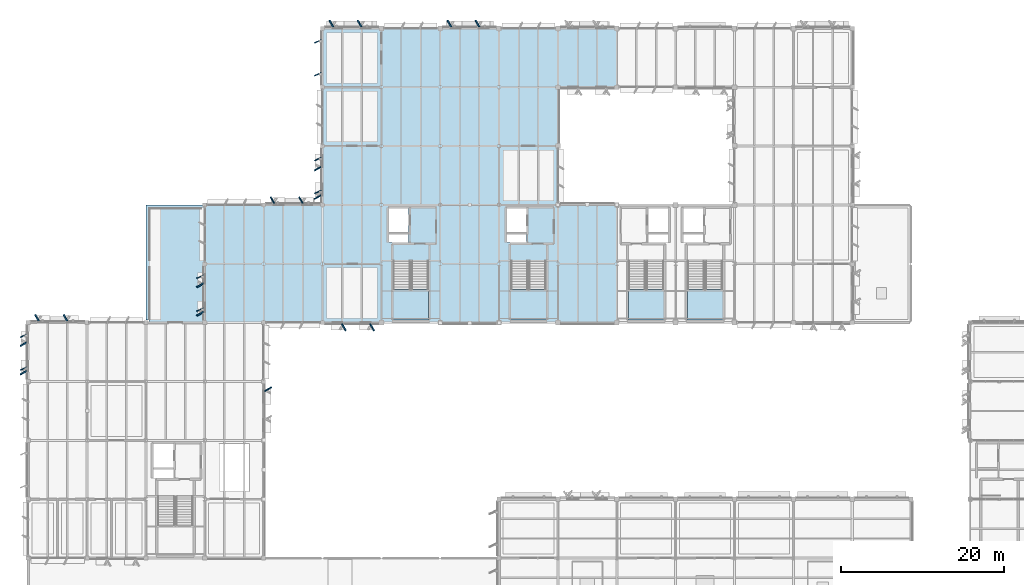
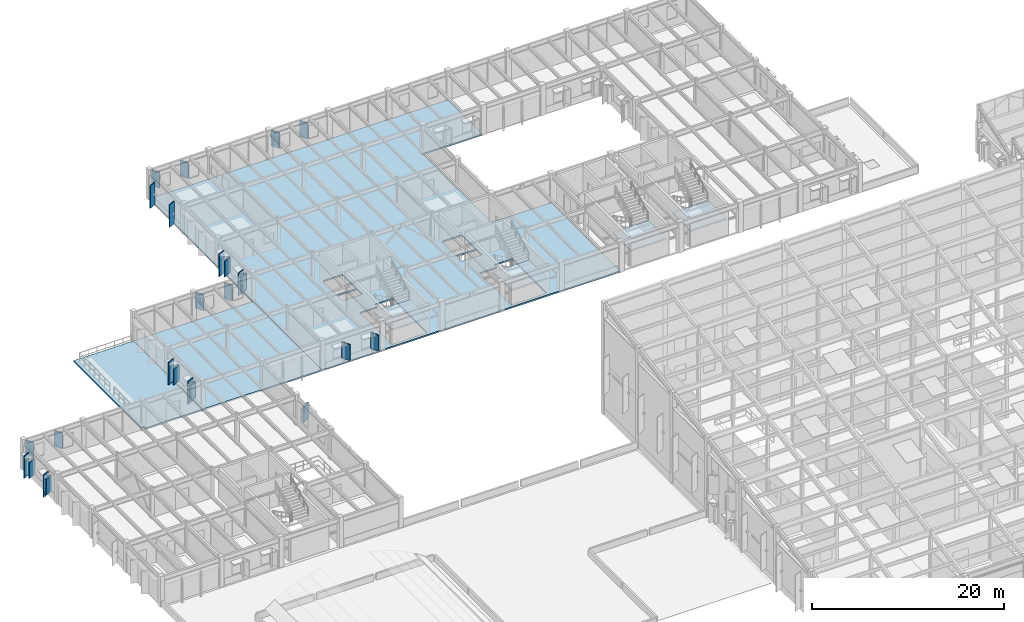
# One storey, part 25 of 82: 25 plates, 7 slabs, 4 elements without a shape of their own.
"""IFC4 building model written with IfcOpenShell, lengths in metres."""

import ifcopenshell
import ifcopenshell.guid

model = None  # the IFC model being written
_history = None  # IfcOwnerHistory: only IFC2X3 demands one
_inside = {}  # id of a spatial element -> (the spatial element, [elements in it])
_under = {}  # id of a project, library or spatial element -> (it, [spatial elements below it])
_declared = {}  # id of a project -> (the project, [libraries it declares])
_typed = {}  # id of a type object -> (the type object, [elements of that type])
_made_of = {}  # id of a material, layer set ... -> (it, [elements and type objects made of it])


def new_model(schema):
    """Start an empty IFC model of exactly this schema.

    Asked for "IFC4X3", IfcOpenShell would pick the latest addendum, in which some entities
    have other attributes; the version numbers below select the first issue.
    IFC2X3 requires an IfcOwnerHistory on every rooted entity: one is made here for all.
    """
    global model, _history
    if schema == "IFC4X3":
        model = ifcopenshell.file(schema_version=(4, 3, 0, 0))
    else:
        model = ifcopenshell.file(schema=schema)
    _inside.clear()
    _under.clear()
    _declared.clear()
    _typed.clear()
    _made_of.clear()
    _history = None
    if model.schema == "IFC2X3":
        org = make("IfcOrganization", Name="unknown")
        user = make(
            "IfcPersonAndOrganization",
            ThePerson=make("IfcPerson", FamilyName="unknown"),
            TheOrganization=org,
        )
        app = make(
            "IfcApplication",
            ApplicationDeveloper=org,
            Version="unknown",
            ApplicationFullName="unknown",
            ApplicationIdentifier="unknown",
        )
        _history = make(
            "IfcOwnerHistory",
            OwningUser=user,
            OwningApplication=app,
            ChangeAction="ADDED",
            CreationDate=0,
        )
    return model


def make(cls, **values):
    """One entity of the class cls with the attributes given. An attribute that is None is left unset."""
    return model.create_entity(
        cls, **{name: value for name, value in values.items() if value is not None}
    )


def rooted(cls, **values):
    """An entity with a GlobalId (a new one), such as an element, a storey or a relation."""
    return make(cls, GlobalId=ifcopenshell.guid.new(), OwnerHistory=_history, **values)


def si_unit(unit_type, name, prefix=None):
    """IfcSIUnit, for example si_unit("LENGTHUNIT", "METRE", prefix="MILLI")."""
    return make("IfcSIUnit", UnitType=unit_type, Prefix=prefix, Name=name)


def assignment(units):
    """IfcUnitAssignment: the units of a project."""
    return None if units is None else make("IfcUnitAssignment", Units=units)


def point(xyz):
    """IfcCartesianPoint."""
    return None if xyz is None else make("IfcCartesianPoint", Coordinates=xyz)


def direction(xyz):
    """IfcDirection."""
    return None if xyz is None else make("IfcDirection", DirectionRatios=xyz)


def frame(location, z_axis=None, x_axis=None):
    """IfcAxis2Placement3D, a coordinate frame: its origin and axes. An axis left out is left unset."""
    return make(
        "IfcAxis2Placement3D",
        Location=point(location),
        Axis=direction(z_axis),
        RefDirection=direction(x_axis),
    )


def frame_2d(location, x_axis=None):
    """IfcAxis2Placement2D, a coordinate frame in the plane: its origin and x axis."""
    return make(
        "IfcAxis2Placement2D", Location=point(location), RefDirection=direction(x_axis)
    )


def origin():
    """The frame at (0, 0, 0) with its axes left unset."""
    return frame((0.0, 0.0, 0.0))


def origin_2d():
    """The frame at (0, 0) in the plane with its x axis left unset."""
    return frame_2d((0.0, 0.0))


def place(relative_to, where):
    """IfcLocalPlacement: puts the frame where relative to a parent placement (None: the world)."""
    return make(
        "IfcLocalPlacement", PlacementRelTo=relative_to, RelativePlacement=where
    )


def context(
    kind, dimensions, precision=None, world=None, true_north=None, identifier=None
):
    """IfcGeometricRepresentationContext, for example the 3D "Model" context."""
    return make(
        "IfcGeometricRepresentationContext",
        ContextIdentifier=identifier,
        ContextType=kind,
        CoordinateSpaceDimension=dimensions,
        Precision=precision,
        WorldCoordinateSystem=world,
        TrueNorth=true_north,
    )


def subcontext(parent, identifier, kind, view, scale=None):
    """IfcGeometricRepresentationSubContext, for example "Body" below "Model"."""
    return make(
        "IfcGeometricRepresentationSubContext",
        ContextIdentifier=identifier,
        ContextType=kind,
        ParentContext=parent,
        TargetScale=scale,
        TargetView=view,
    )


def project(units=None, contexts=None):
    """IfcProject with its units and contexts."""
    return rooted(
        "IfcProject",
        Name="project",
        RepresentationContexts=contexts,
        UnitsInContext=assignment(units),
    )


def spatial(cls, under=None, at=None, **own):
    """A site, building, storey or space (cls), placed at a placement, below another one or the project."""
    s = rooted(cls, ObjectPlacement=at, **own)
    if under is not None:
        _under.setdefault(under.id(), (under, []))[1].append(s)
    return s


def polyline(points):
    """IfcPolyline through the points."""
    return make("IfcPolyline", Points=[point(p) for p in points])


def profile(cls, at=None, kind="AREA", **sizes):
    """A parametric profile (cls). Its sizes go by their IFC names, for example OverallWidth=200.0."""
    return make(cls, ProfileType=kind, Position=at, **sizes)


def rectangle(**sizes):
    """IfcRectangleProfileDef."""
    return profile("IfcRectangleProfileDef", **sizes)


def outline(outer, holes=None, kind="AREA"):
    """IfcArbitraryClosedProfileDef: a profile drawn as a closed curve; with holes, ...WithVoids."""
    if holes is None:
        return make("IfcArbitraryClosedProfileDef", ProfileType=kind, OuterCurve=outer)
    return make(
        "IfcArbitraryProfileDefWithVoids",
        ProfileType=kind,
        OuterCurve=outer,
        InnerCurves=holes,
    )


def extrude(swept, where, along, depth):
    """IfcExtrudedAreaSolid: the profile swept, set in the frame where, extruded along a direction by depth."""
    return make(
        "IfcExtrudedAreaSolid",
        SweptArea=swept,
        Position=where,
        ExtrudedDirection=direction(along),
        Depth=depth,
    )


def shape(context_of_items, identifier, shape_type, items):
    """IfcShapeRepresentation: the items that make up one representation, for example the "Body"."""
    return make(
        "IfcShapeRepresentation",
        ContextOfItems=context_of_items,
        RepresentationIdentifier=identifier,
        RepresentationType=shape_type,
        Items=items,
    )


def material(Name=None, Category=None):
    """IfcMaterial."""
    return make("IfcMaterial", Name=Name, Category=Category)


def layer(
    of_material, thickness, ventilated=None, Name=None, Category=None, Priority=None
):
    """IfcMaterialLayer: one layer of a wall or slab, of a material (None: an air gap)."""
    return make(
        "IfcMaterialLayer",
        Material=of_material,
        LayerThickness=thickness,
        IsVentilated=ventilated,
        Name=Name,
        Category=Category,
        Priority=Priority,
    )


def layer_set(layers, Name=None):
    """IfcMaterialLayerSet."""
    return make("IfcMaterialLayerSet", MaterialLayers=layers, LayerSetName=Name)


def made_of(thing, what):
    """Note that an element or type object is made of a material, layer set ...; save() writes the relation."""
    if what is not None:
        _made_of.setdefault(what.id(), (what, []))[1].append(thing)
    return thing


def type_object(cls, material=None, **own):
    """A type object (cls), such as IfcWallType, which elements share."""
    return made_of(rooted(cls, **own), material)


def element(
    cls,
    number,
    at=None,
    inside=None,
    cuts=None,
    type_object=None,
    material=None,
    context=None,
    identifier="Body",
    shape_type=None,
    held_by="IfcProductDefinitionShape",
    body=None,
    shapes=None,
    **own,
):
    """One element of the class cls, such as IfcWall. Its Tag is "e" and its number.

    at: its placement. inside: the storey or other place that contains it. cuts: it is an
    opening in that element (IfcRelVoidsElement). A single representation is given by context,
    identifier, shape_type and body (its items); several are given by shapes. held_by: the class
    of the entity that holds the representations. save() writes the other relations.
    """
    e = rooted(cls, Tag="e%d" % number, ObjectPlacement=at, **own)
    if body is not None:
        shapes = [shape(context, identifier, shape_type, body)]
    if shapes is not None:
        e.Representation = make(held_by, Representations=shapes)
    if inside is not None:
        _inside.setdefault(inside.id(), (inside, []))[1].append(e)
    if cuts is not None:
        rooted(
            "IfcRelVoidsElement", RelatingBuildingElement=cuts, RelatedOpeningElement=e
        )
    if type_object is not None:
        _typed.setdefault(type_object.id(), (type_object, []))[1].append(e)
    return made_of(e, material)


def aggregate(whole, parts):
    """IfcRelAggregates: a whole, such as a stair, and the parts it consists of."""
    return rooted("IfcRelAggregates", RelatingObject=whole, RelatedObjects=parts)


def save(model, path):
    """Write the relations noted so far, then the file.

    IfcRelAggregates (storeys below a building ...), IfcRelContainedInSpatialStructure (elements
    in a storey), IfcRelDefinesByType, IfcRelAssociatesMaterial and IfcRelDeclares: one each for
    every whole, place, type object, material and project.
    """
    for whole, parts in _under.values():
        aggregate(whole, parts)
    for where, things in _inside.values():
        rooted(
            "IfcRelContainedInSpatialStructure",
            RelatedElements=things,
            RelatingStructure=where,
        )
    for kind, things in _typed.values():
        rooted("IfcRelDefinesByType", RelatedObjects=things, RelatingType=kind)
    for what, things in _made_of.values():
        rooted("IfcRelAssociatesMaterial", RelatedObjects=things, RelatingMaterial=what)
    for by, libraries in _declared.values():
        rooted("IfcRelDeclares", RelatingContext=by, RelatedDefinitions=libraries)
    model.write(path)


model = new_model("IFC4")

# Units and contexts
model_context = context("Model", 3, precision=1e-05, world=origin(), true_north=direction((0.0, 1.0)))
body_context = subcontext(model_context, "Body", "Model", "MODEL_VIEW")
ifc_project = project(units=[si_unit("LENGTHUNIT", "METRE"), si_unit("AREAUNIT", "SQUARE_METRE"), si_unit("VOLUMEUNIT", "CUBIC_METRE"), si_unit("PLANEANGLEUNIT", "RADIAN"), si_unit("MASSUNIT", "GRAM", prefix="KILO")], contexts=[model_context])

# Site, building, storey
site_placement = place(None, origin())
site = spatial("IfcSite", under=ifc_project, at=site_placement, CompositionType="ELEMENT")
building_placement = place(site_placement, origin())
building = spatial("IfcBuilding", under=site, at=building_placement, Name="Sillqori Civic Hall", CompositionType="ELEMENT")
storey_placement = place(building_placement, frame((0.0, 0.0, 14.10009765625)))
storey = spatial("IfcBuildingStorey", under=building, at=storey_placement, Name="L04", CompositionType="ELEMENT", Elevation=14.10009765625)

# Plates
ifc_material_1 = material(Name="Precast concrete C40/50 (H40)", Category="concrete")
ifc_layer_1 = layer(ifc_material_1, 0.159912109375)
ifc_layer_set_1 = layer_set([ifc_layer_1], Name="Precast concrete C40/50 (H40)")
plate_type_1 = type_object("IfcPlateType", Name="FIN-WEST-350", PredefinedType="USERDEFINED", material=ifc_layer_set_1)
for number, where, z_axis, x_axis, name in (
    (1, (6.655029296875, 73.590087890625, 0.14990234375), (0.0, 0.0, 1.0), (-0.422618261741, 0.906307787037, 0.0), "L04 west brise-soleil fin L04-01-10-W.1"),
    (2, (6.655029296875, 77.610107421875, 0.14990234375), (0.0, 0.0, 1.0), (-0.422618261741, 0.906307787037, 0.0), "L04 west brise-soleil fin L04-01-10-W.2"),
    (3, (28.235107421875, 80.7900390625, 0.14990234375), (0.0, 0.0, 1.0), (-0.422618261741, 0.906307787037, 0.0), "L04 west brise-soleil fin L04-04-11-W.1"),
    (4, (28.235107421875, 84.81005859375, 0.14990234375), (0.0, 0.0, 1.0), (-0.422618261741, 0.906307787037, 0.0), "L04 west brise-soleil fin L04-04-11-W.2"),
):
    element("IfcPlate", number, at=place(storey_placement, frame(where, z_axis=z_axis, x_axis=x_axis)), inside=storey, type_object=plate_type_1, Name=name, ObjectType="SOLAR_FIN", PredefinedType="USERDEFINED", context=body_context, shape_type="SweptSolid", body=[
        extrude(rectangle(XDim=0.090087890625, YDim=0.8798828125, at=origin_2d()), origin(), (0.0, 0.0, 1.0), 2.8720703125),
    ])
for number, where, z_axis, x_axis, name in (
    (5, (42.635009765625, 95.18994140625, 0.14990234375), (0.0, 0.0, 1.0), (-0.422618261741, 0.906307787037, 0.0), "L04 west brise-soleil fin L04-06-13-W.1"),
    (6, (42.635009765625, 99.2099609375, 0.14990234375), (0.0, 0.0, 1.0), (-0.422618261741, 0.906307787037, 0.0), "L04 west brise-soleil fin L04-06-13-W.2"),
    (7, (42.635009765625, 109.590087890625, 0.14990234375), (0.0, 0.0, 1.0), (-0.422618261741, 0.906307787037, 0.0), "L04 west brise-soleil fin L04-06-15-W.1"),
    (8, (42.635009765625, 113.610107421875, 0.14990234375), (0.0, 0.0, 1.0), (-0.422618261741, 0.906307787037, 0.0), "L04 west brise-soleil fin L04-06-15-W.2"),
):
    element("IfcPlate", number, at=place(storey_placement, frame(where, z_axis=z_axis, x_axis=x_axis)), inside=storey, type_object=plate_type_1, Name=name, ObjectType="SOLAR_FIN", PredefinedType="USERDEFINED", context=body_context, shape_type="SweptSolid", body=[
        extrude(rectangle(XDim=0.090087890625, YDim=0.8798828125, at=origin_2d()), origin(), (0.0, 0.0, 1.0), 2.89208984375),
    ])
ifc_layer_2 = layer(ifc_material_1, 0.159912109375)
ifc_layer_set_2 = layer_set([ifc_layer_2], Name="Precast concrete C40/50 (H40)")
plate_type_2 = type_object("IfcPlateType", Name="REV-SAW-200", PredefinedType="USERDEFINED", material=ifc_layer_set_2)
for number, where, z_axis, x_axis, name in (
    (9, (8.298095703125, 79.739990234375, 0.7998046875), (0.0, 0.0, 1.0), (0.866025403784, 0.5, 0.0), "Sawtooth stone window reveal L04-01-10-N.1"),
    (10, (11.781982421875, 79.739990234375, 0.7998046875), (0.0, 0.0, 1.0), (0.866025403784, 0.5, 0.0), "Sawtooth stone window reveal L04-01-10-N.2"),
    (11, (6.659912109375, 73.097900390625, 0.7998046875), (0.0, 0.0, 1.0), (-0.5, 0.866025403784, 0.0), "Sawtooth stone window reveal L04-01-10-W.1"),
    (12, (6.659912109375, 76.58203125, 0.7998046875), (0.0, 0.0, 1.0), (-0.5, 0.866025403784, 0.0), "Sawtooth stone window reveal L04-01-10-W.2"),
    (13, (36.5400390625, 71.052001953125, 0.849853515625), (0.0, 0.0, 1.0), (0.5, -0.866025403784, 0.0), "Sawtooth stone window reveal L04-04-09-E.1"),
    (14, (28.239990234375, 80.298095703125, 0.7998046875), (0.0, 0.0, 1.0), (-0.5, 0.866025403784, 0.0), "Sawtooth stone window reveal L04-04-11-W.1"),
    (15, (28.239990234375, 83.781982421875, 0.7998046875), (0.0, 0.0, 1.0), (-0.5, 0.866025403784, 0.0), "Sawtooth stone window reveal L04-04-11-W.2"),
    (16, (37.097900390625, 94.159912109375, 0.7998046875), (0.0, 0.0, 1.0), (0.866025403784, 0.5, 0.0), "Sawtooth stone window reveal L04-05-12-N.1"),
    (17, (40.58203125, 94.159912109375, 0.7998046875), (0.0, 0.0, 1.0), (0.866025403784, 0.5, 0.0), "Sawtooth stone window reveal L04-05-12-N.2"),
    (18, (49.263916015625, 78.639892578125, 0.7998046875), (0.0, 0.0, 1.0), (-0.866025403784, -0.5, 0.0), "Sawtooth stone window reveal L04-06-11-S.1"),
    (19, (45.805908203125, 78.639892578125, 0.7998046875), (0.0, 0.0, 1.0), (-0.866025403784, -0.5, 0.0), "Sawtooth stone window reveal L04-06-11-S.2"),
    (20, (42.639892578125, 94.572998046875, 0.875), (0.0, 0.0, 1.0), (-0.5, 0.866025403784, 0.0), "Sawtooth stone window reveal L04-06-13-W.1"),
    (21, (42.639892578125, 98.056884765625, 0.875), (0.0, 0.0, 1.0), (-0.5, 0.866025403784, 0.0), "Sawtooth stone window reveal L04-06-13-W.2"),
    (22, (44.285888671875, 115.760009765625, 0.7998046875), (0.0, 0.0, 1.0), (0.866025403784, 0.5, 0.0), "Sawtooth stone window reveal L04-06-15-N.1"),
    (23, (47.743896484375, 115.760009765625, 0.7998046875), (0.0, 0.0, 1.0), (0.866025403784, 0.5, 0.0), "Sawtooth stone window reveal L04-06-15-N.2"),
    (24, (58.72412109375, 115.760009765625, 0.7998046875), (0.0, 0.0, 1.0), (0.866025403784, 0.5, 0.0), "Sawtooth stone window reveal L04-08-15-N.1"),
    (25, (62.156005859375, 115.760009765625, 0.7998046875), (0.0, 0.0, 1.0), (0.866025403784, 0.5, 0.0), "Sawtooth stone window reveal L04-08-15-N.2"),
):
    element("IfcPlate", number, at=place(storey_placement, frame(where, z_axis=z_axis, x_axis=x_axis)), inside=storey, type_object=plate_type_2, Name=name, ObjectType="REVEAL_PANEL", PredefinedType="USERDEFINED", context=body_context, shape_type="SweptSolid", body=[
        extrude(rectangle(XDim=0.159912109375, YDim=0.97998046875, at=origin_2d()), origin(), (0.0, 0.0, 1.0), 2.0),
    ])

# Slabs
ifc_material_2 = material(Name="Concrete C30/37 (H30)", Category="concrete")
ifc_layer_3 = layer(ifc_material_2, 0.179931640625)
ifc_layer_set_3 = layer_set([ifc_layer_3], Name="Concrete C30/37 (H30)")
slab_type_1 = type_object("IfcSlabType", Name="SLB-FLR-180", PredefinedType="FLOOR", material=ifc_layer_set_3)
slab_1_placement = place(storey_placement, frame((0.0, 0.0, -0.18017578125)))
element("IfcSlab", 26, at=slab_1_placement, inside=storey, type_object=slab_type_1, Name="L04 V4 composite floor slab 0.1", PredefinedType="FLOOR", context=body_context, shape_type="SweptSolid", body=[
    extrude(outline(polyline([(28.800048828125, 93.60009765625), (36.0, 93.60009765625), (43.199951171875, 93.60009765625), (43.199951171875, 86.39990234375), (43.199951171875, 79.199951171875), (36.0, 79.199951171875), (28.800048828125, 79.199951171875), (28.800048828125, 86.39990234375), (28.800048828125, 93.60009765625)])), origin(), (0.0, 0.0, 1.0), 0.18017578125),
])
slab_2_placement = place(storey_placement, frame((0.0, 0.0, -0.18017578125)))
element("IfcSlab", 27, at=slab_2_placement, inside=storey, type_object=slab_type_1, Name="L04 V4 composite floor slab 1.1", PredefinedType="FLOOR", context=body_context, shape_type="SweptSolid", body=[
    extrude(outline(polyline([(43.199951171875, 108.0), (43.199951171875, 115.199951171875), (50.39990234375, 115.199951171875), (57.60009765625, 115.199951171875), (64.800048828125, 115.199951171875), (72.0, 115.199951171875), (79.199951171875, 115.199951171875), (79.199951171875, 108.0), (72.0, 108.0), (72.0, 100.800048828125), (72.0, 93.60009765625), (79.199951171875, 93.60009765625), (79.199951171875, 86.39990234375), (79.199951171875, 79.199951171875), (72.0, 79.199951171875), (64.800048828125, 79.199951171875), (57.60009765625, 79.199951171875), (50.39990234375, 79.199951171875), (43.199951171875, 79.199951171875), (43.199951171875, 86.39990234375), (43.199951171875, 93.60009765625), (43.199951171875, 100.800048828125), (43.199951171875, 108.0)]), holes=[polyline([(53.9599609375, 86.219970703125), (51.860107421875, 86.219970703125), (51.860107421875, 79.550048828125), (56.139892578125, 79.550048828125), (56.139892578125, 86.77001953125), (53.9599609375, 86.77001953125), (53.9599609375, 86.219970703125)]), polyline([(66.260009765625, 86.219970703125), (66.260009765625, 79.550048828125), (70.5400390625, 79.550048828125), (70.5400390625, 86.77001953125), (68.360107421875, 86.77001953125), (68.360107421875, 86.219970703125), (66.260009765625, 86.219970703125)]), polyline([(53.75, 89.0), (53.75, 90.10009765625), (51.35009765625, 90.10009765625), (51.35009765625, 89.0), (53.75, 89.0)]), polyline([(68.14990234375, 90.10009765625), (65.75, 90.10009765625), (65.75, 89.0), (68.14990234375, 89.0), (68.14990234375, 90.10009765625)]), polyline([(53.75, 90.25), (53.75, 93.14990234375), (51.35009765625, 93.14990234375), (51.35009765625, 90.25), (53.75, 90.25)]), polyline([(68.14990234375, 90.25), (68.14990234375, 93.14990234375), (65.75, 93.14990234375), (65.75, 90.25), (68.14990234375, 90.25)])]), origin(), (0.0, 0.0, 1.0), 0.18017578125),
])

# Stair, slab
ifc_material_3 = material(Name="Concrete C35/45 (H35)", Category="concrete")
stair_type_1 = type_object("IfcStairType", Name="STR-CORE-05", PredefinedType="DOUBLE_RETURN_STAIR", material=ifc_material_3)
stair_1_placement = place(storey_placement, origin())
stair_1 = element("IfcStair", 28, at=stair_1_placement, inside=storey, type_object=stair_type_1, Name="L04 Core exit stair ST-05", PredefinedType="DOUBLE_RETURN_STAIR")
ifc_layer_4 = layer(ifc_material_3, 0.199951171875)
ifc_layer_set_4 = layer_set([ifc_layer_4], Name="Concrete C35/45 (H35)")
slab_type_2 = type_object("IfcSlabType", Name="SLB-LND-220", PredefinedType="LANDING", material=ifc_layer_set_4)
slab_3_placement = place(storey_placement, frame((0.0, 0.0, 1.75)))
slab_3 = element("IfcSlab", 29, at=slab_3_placement, type_object=slab_type_2, Name="ST-05 landing 1", PredefinedType="LANDING", context=body_context, shape_type="SweptSolid", body=[
    extrude(outline(polyline([(51.824951171875, 83.25), (51.824951171875, 79.514892578125), (56.175048828125, 79.514892578125), (56.175048828125, 83.25), (51.824951171875, 83.25)])), origin(), (0.0, 0.0, 1.0), 0.199951171875),
])
aggregate(stair_1, [slab_3])

stair_type_2 = type_object("IfcStairType", Name="STR-CORE-06", PredefinedType="DOUBLE_RETURN_STAIR", material=ifc_material_3)
stair_2_placement = place(storey_placement, origin())
stair_2 = element("IfcStair", 30, at=stair_2_placement, inside=storey, type_object=stair_type_2, Name="L04 Core exit stair ST-06", PredefinedType="DOUBLE_RETURN_STAIR")
slab_4_placement = place(storey_placement, frame((0.0, 0.0, 1.75)))
slab_4 = element("IfcSlab", 31, at=slab_4_placement, type_object=slab_type_2, Name="ST-06 landing 1", PredefinedType="LANDING", context=body_context, shape_type="SweptSolid", body=[
    extrude(outline(polyline([(66.22509765625, 83.25), (66.22509765625, 79.514892578125), (70.574951171875, 79.514892578125), (70.574951171875, 83.25), (66.22509765625, 83.25)])), origin(), (0.0, 0.0, 1.0), 0.199951171875),
])
aggregate(stair_2, [slab_4])

stair_type_3 = type_object("IfcStairType", Name="STR-CORE-07", PredefinedType="DOUBLE_RETURN_STAIR", material=ifc_material_3)
stair_3_placement = place(storey_placement, origin())
stair_3 = element("IfcStair", 32, at=stair_3_placement, inside=storey, type_object=stair_type_3, Name="L04 Core exit stair ST-07", PredefinedType="DOUBLE_RETURN_STAIR")
slab_5_placement = place(storey_placement, frame((0.0, 0.0, 1.75)))
slab_5 = element("IfcSlab", 33, at=slab_5_placement, type_object=slab_type_2, Name="ST-07 landing 1", PredefinedType="LANDING", context=body_context, shape_type="SweptSolid", body=[
    extrude(outline(polyline([(80.625, 83.25), (80.625, 79.514892578125), (84.97509765625, 79.514892578125), (84.97509765625, 83.25), (80.625, 83.25)])), origin(), (0.0, 0.0, 1.0), 0.199951171875),
])
aggregate(stair_3, [slab_5])

stair_type_4 = type_object("IfcStairType", Name="STR-CORE-08", PredefinedType="DOUBLE_RETURN_STAIR", material=ifc_material_3)
stair_4_placement = place(storey_placement, origin())
stair_4 = element("IfcStair", 34, at=stair_4_placement, inside=storey, type_object=stair_type_4, Name="L04 Core exit stair ST-08", PredefinedType="DOUBLE_RETURN_STAIR")
slab_6_placement = place(storey_placement, frame((0.0, 0.0, 1.75)))
slab_6 = element("IfcSlab", 35, at=slab_6_placement, type_object=slab_type_2, Name="ST-08 landing 1", PredefinedType="LANDING", context=body_context, shape_type="SweptSolid", body=[
    extrude(outline(polyline([(87.824951171875, 83.25), (87.824951171875, 79.514892578125), (92.175048828125, 79.514892578125), (92.175048828125, 83.25), (87.824951171875, 83.25)])), origin(), (0.0, 0.0, 1.0), 0.199951171875),
])
aggregate(stair_4, [slab_6])

# Slab
ifc_layer_5 = layer(ifc_material_3, 0.199951171875)
ifc_layer_set_5 = layer_set([ifc_layer_5], Name="Concrete C35/45 (H35)")
slab_type_3 = type_object("IfcSlabType", Name="SLB-TER-200", PredefinedType="FLOOR", material=ifc_layer_set_5)
slab_7_placement = place(storey_placement, frame((0.0, 0.0, -0.2001953125)))
element("IfcSlab", 36, at=slab_7_placement, inside=storey, type_object=slab_type_3, Name="Urban Design West Setback Terrace", PredefinedType="FLOOR", context=body_context, shape_type="SweptSolid", body=[
    extrude(outline(polyline([(21.60009765625, 93.60009765625), (28.800048828125, 93.60009765625), (28.800048828125, 79.199951171875), (21.949951171875, 79.199951171875), (21.949951171875, 79.550048828125), (21.60009765625, 79.550048828125), (21.60009765625, 93.60009765625)])), origin(), (0.0, 0.0, 1.0), 0.2001953125),
])

save(model, "model.ifc")
